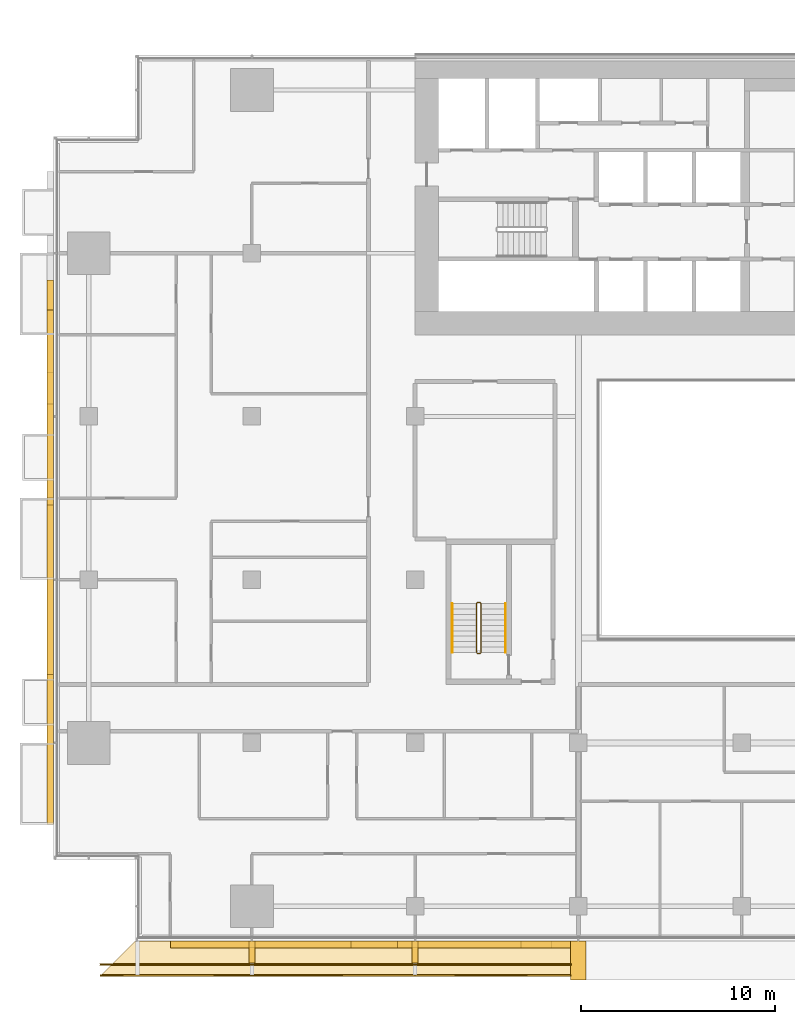
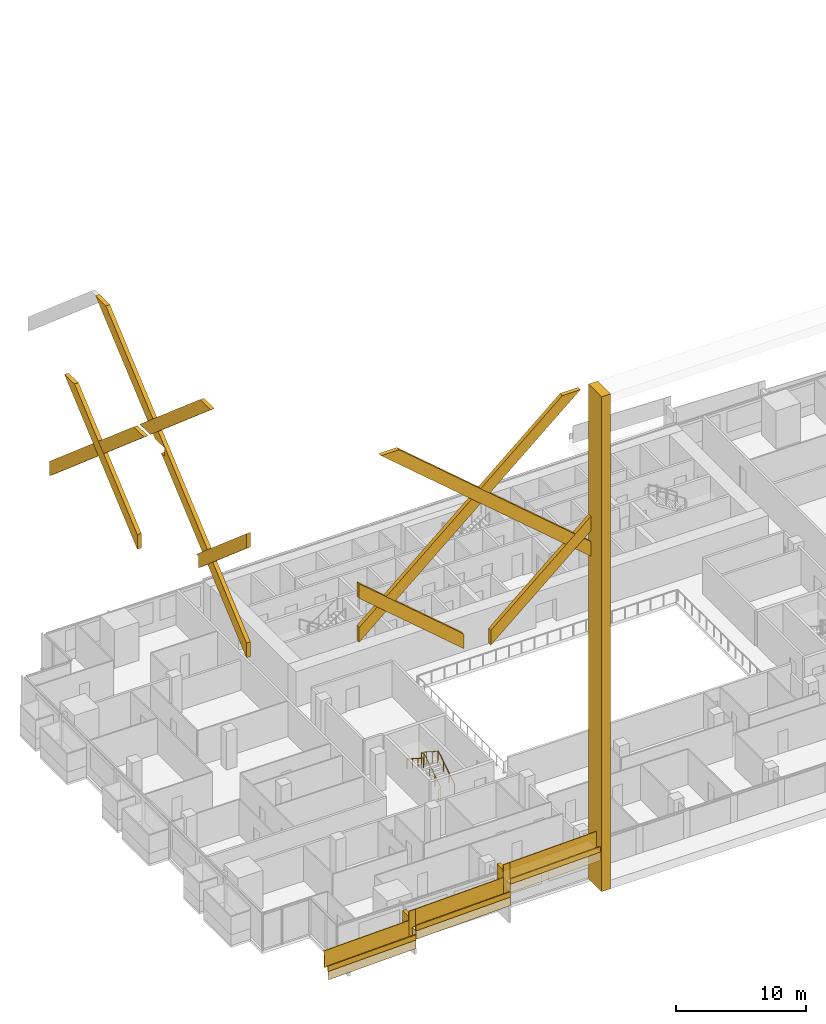
# One storey, part 26 of 30: 18 coverings, 8 railings.
"""IFC4 building model written with IfcOpenShell, lengths in metres."""

import ifcopenshell
import ifcopenshell.guid

model = None  # the IFC model being written
_history = None  # IfcOwnerHistory: only IFC2X3 demands one
_inside = {}  # id of a spatial element -> (the spatial element, [elements in it])
_under = {}  # id of a project, library or spatial element -> (it, [spatial elements below it])
_declared = {}  # id of a project -> (the project, [libraries it declares])
_typed = {}  # id of a type object -> (the type object, [elements of that type])
_made_of = {}  # id of a material, layer set ... -> (it, [elements and type objects made of it])


def new_model(schema):
    """Start an empty IFC model of exactly this schema.

    Asked for "IFC4X3", IfcOpenShell would pick the latest addendum, in which some entities
    have other attributes; the version numbers below select the first issue.
    IFC2X3 requires an IfcOwnerHistory on every rooted entity: one is made here for all.
    """
    global model, _history
    if schema == "IFC4X3":
        model = ifcopenshell.file(schema_version=(4, 3, 0, 0))
    else:
        model = ifcopenshell.file(schema=schema)
    _inside.clear()
    _under.clear()
    _declared.clear()
    _typed.clear()
    _made_of.clear()
    _history = None
    if model.schema == "IFC2X3":
        org = make("IfcOrganization", Name="unknown")
        user = make(
            "IfcPersonAndOrganization",
            ThePerson=make("IfcPerson", FamilyName="unknown"),
            TheOrganization=org,
        )
        app = make(
            "IfcApplication",
            ApplicationDeveloper=org,
            Version="unknown",
            ApplicationFullName="unknown",
            ApplicationIdentifier="unknown",
        )
        _history = make(
            "IfcOwnerHistory",
            OwningUser=user,
            OwningApplication=app,
            ChangeAction="ADDED",
            CreationDate=0,
        )
    return model


def make(cls, **values):
    """One entity of the class cls with the attributes given. An attribute that is None is left unset."""
    return model.create_entity(
        cls, **{name: value for name, value in values.items() if value is not None}
    )


def rooted(cls, **values):
    """An entity with a GlobalId (a new one), such as an element, a storey or a relation."""
    return make(cls, GlobalId=ifcopenshell.guid.new(), OwnerHistory=_history, **values)


def si_unit(unit_type, name, prefix=None):
    """IfcSIUnit, for example si_unit("LENGTHUNIT", "METRE", prefix="MILLI")."""
    return make("IfcSIUnit", UnitType=unit_type, Prefix=prefix, Name=name)


def assignment(units):
    """IfcUnitAssignment: the units of a project."""
    return None if units is None else make("IfcUnitAssignment", Units=units)


def point(xyz):
    """IfcCartesianPoint."""
    return None if xyz is None else make("IfcCartesianPoint", Coordinates=xyz)


def direction(xyz):
    """IfcDirection."""
    return None if xyz is None else make("IfcDirection", DirectionRatios=xyz)


def frame(location, z_axis=None, x_axis=None):
    """IfcAxis2Placement3D, a coordinate frame: its origin and axes. An axis left out is left unset."""
    return make(
        "IfcAxis2Placement3D",
        Location=point(location),
        Axis=direction(z_axis),
        RefDirection=direction(x_axis),
    )


def frame_2d(location, x_axis=None):
    """IfcAxis2Placement2D, a coordinate frame in the plane: its origin and x axis."""
    return make(
        "IfcAxis2Placement2D", Location=point(location), RefDirection=direction(x_axis)
    )


def origin():
    """The frame at (0, 0, 0) with its axes left unset."""
    return frame((0.0, 0.0, 0.0))


def origin_2d():
    """The frame at (0, 0) in the plane with its x axis left unset."""
    return frame_2d((0.0, 0.0))


def place(relative_to, where):
    """IfcLocalPlacement: puts the frame where relative to a parent placement (None: the world)."""
    return make(
        "IfcLocalPlacement", PlacementRelTo=relative_to, RelativePlacement=where
    )


def context(
    kind, dimensions, precision=None, world=None, true_north=None, identifier=None
):
    """IfcGeometricRepresentationContext, for example the 3D "Model" context."""
    return make(
        "IfcGeometricRepresentationContext",
        ContextIdentifier=identifier,
        ContextType=kind,
        CoordinateSpaceDimension=dimensions,
        Precision=precision,
        WorldCoordinateSystem=world,
        TrueNorth=true_north,
    )


def subcontext(parent, identifier, kind, view, scale=None):
    """IfcGeometricRepresentationSubContext, for example "Body" below "Model"."""
    return make(
        "IfcGeometricRepresentationSubContext",
        ContextIdentifier=identifier,
        ContextType=kind,
        ParentContext=parent,
        TargetScale=scale,
        TargetView=view,
    )


def project(units=None, contexts=None):
    """IfcProject with its units and contexts."""
    return rooted(
        "IfcProject",
        Name="project",
        RepresentationContexts=contexts,
        UnitsInContext=assignment(units),
    )


def spatial(cls, under=None, at=None, **own):
    """A site, building, storey or space (cls), placed at a placement, below another one or the project."""
    s = rooted(cls, ObjectPlacement=at, **own)
    if under is not None:
        _under.setdefault(under.id(), (under, []))[1].append(s)
    return s


def polyline(points):
    """IfcPolyline through the points."""
    return make("IfcPolyline", Points=[point(p) for p in points])


def profile(cls, at=None, kind="AREA", **sizes):
    """A parametric profile (cls). Its sizes go by their IFC names, for example OverallWidth=200.0."""
    return make(cls, ProfileType=kind, Position=at, **sizes)


def rectangle(**sizes):
    """IfcRectangleProfileDef."""
    return profile("IfcRectangleProfileDef", **sizes)


def circle(**sizes):
    """IfcCircleProfileDef."""
    return profile("IfcCircleProfileDef", **sizes)


def outline(outer, holes=None, kind="AREA"):
    """IfcArbitraryClosedProfileDef: a profile drawn as a closed curve; with holes, ...WithVoids."""
    if holes is None:
        return make("IfcArbitraryClosedProfileDef", ProfileType=kind, OuterCurve=outer)
    return make(
        "IfcArbitraryProfileDefWithVoids",
        ProfileType=kind,
        OuterCurve=outer,
        InnerCurves=holes,
    )


def extrude(swept, where, along, depth):
    """IfcExtrudedAreaSolid: the profile swept, set in the frame where, extruded along a direction by depth."""
    return make(
        "IfcExtrudedAreaSolid",
        SweptArea=swept,
        Position=where,
        ExtrudedDirection=direction(along),
        Depth=depth,
    )


def shape(context_of_items, identifier, shape_type, items):
    """IfcShapeRepresentation: the items that make up one representation, for example the "Body"."""
    return make(
        "IfcShapeRepresentation",
        ContextOfItems=context_of_items,
        RepresentationIdentifier=identifier,
        RepresentationType=shape_type,
        Items=items,
    )


def material(Name=None, Category=None):
    """IfcMaterial."""
    return make("IfcMaterial", Name=Name, Category=Category)


def layer(
    of_material, thickness, ventilated=None, Name=None, Category=None, Priority=None
):
    """IfcMaterialLayer: one layer of a wall or slab, of a material (None: an air gap)."""
    return make(
        "IfcMaterialLayer",
        Material=of_material,
        LayerThickness=thickness,
        IsVentilated=ventilated,
        Name=Name,
        Category=Category,
        Priority=Priority,
    )


def layer_set(layers, Name=None):
    """IfcMaterialLayerSet."""
    return make("IfcMaterialLayerSet", MaterialLayers=layers, LayerSetName=Name)


def made_of(thing, what):
    """Note that an element or type object is made of a material, layer set ...; save() writes the relation."""
    if what is not None:
        _made_of.setdefault(what.id(), (what, []))[1].append(thing)
    return thing


def type_object(cls, material=None, **own):
    """A type object (cls), such as IfcWallType, which elements share."""
    return made_of(rooted(cls, **own), material)


def element(
    cls,
    number,
    at=None,
    inside=None,
    cuts=None,
    type_object=None,
    material=None,
    context=None,
    identifier="Body",
    shape_type=None,
    held_by="IfcProductDefinitionShape",
    body=None,
    shapes=None,
    **own,
):
    """One element of the class cls, such as IfcWall. Its Tag is "e" and its number.

    at: its placement. inside: the storey or other place that contains it. cuts: it is an
    opening in that element (IfcRelVoidsElement). A single representation is given by context,
    identifier, shape_type and body (its items); several are given by shapes. held_by: the class
    of the entity that holds the representations. save() writes the other relations.
    """
    e = rooted(cls, Tag="e%d" % number, ObjectPlacement=at, **own)
    if body is not None:
        shapes = [shape(context, identifier, shape_type, body)]
    if shapes is not None:
        e.Representation = make(held_by, Representations=shapes)
    if inside is not None:
        _inside.setdefault(inside.id(), (inside, []))[1].append(e)
    if cuts is not None:
        rooted(
            "IfcRelVoidsElement", RelatingBuildingElement=cuts, RelatedOpeningElement=e
        )
    if type_object is not None:
        _typed.setdefault(type_object.id(), (type_object, []))[1].append(e)
    return made_of(e, material)


def aggregate(whole, parts):
    """IfcRelAggregates: a whole, such as a stair, and the parts it consists of."""
    return rooted("IfcRelAggregates", RelatingObject=whole, RelatedObjects=parts)


def save(model, path):
    """Write the relations noted so far, then the file.

    IfcRelAggregates (storeys below a building ...), IfcRelContainedInSpatialStructure (elements
    in a storey), IfcRelDefinesByType, IfcRelAssociatesMaterial and IfcRelDeclares: one each for
    every whole, place, type object, material and project.
    """
    for whole, parts in _under.values():
        aggregate(whole, parts)
    for where, things in _inside.values():
        rooted(
            "IfcRelContainedInSpatialStructure",
            RelatedElements=things,
            RelatingStructure=where,
        )
    for kind, things in _typed.values():
        rooted("IfcRelDefinesByType", RelatedObjects=things, RelatingType=kind)
    for what, things in _made_of.values():
        rooted("IfcRelAssociatesMaterial", RelatedObjects=things, RelatingMaterial=what)
    for by, libraries in _declared.values():
        rooted("IfcRelDeclares", RelatingContext=by, RelatedDefinitions=libraries)
    model.write(path)


model = new_model("IFC4")

# Units and contexts
model_context = context("Model", 3, precision=1e-05, world=origin(), true_north=direction((0.0, 1.0)))
body_context = subcontext(model_context, "Body", "Model", "MODEL_VIEW")
ifc_project = project(units=[si_unit("LENGTHUNIT", "METRE"), si_unit("AREAUNIT", "SQUARE_METRE"), si_unit("VOLUMEUNIT", "CUBIC_METRE"), si_unit("PLANEANGLEUNIT", "RADIAN"), si_unit("MASSUNIT", "GRAM", prefix="KILO")], contexts=[model_context])

# Site, building, storey
site_placement = place(None, origin())
site = spatial("IfcSite", under=ifc_project, at=site_placement, CompositionType="ELEMENT")
building_placement = place(site_placement, origin())
building = spatial("IfcBuilding", under=site, at=building_placement, Name="Saffron Gate Tower", CompositionType="ELEMENT")
storey_placement = place(building_placement, frame((0.0, 0.0, 37.199951171875)))
storey = spatial("IfcBuildingStorey", under=building, at=storey_placement, Name="L07", CompositionType="ELEMENT", Elevation=37.199951171875)

# Railings
ifc_material_1 = material(Name="Stainless steel and laminated glass", Category="steel")
railing_type_1 = type_object("IfcRailingType", Name="CR1 Stair guard 1100", PredefinedType="GUARDRAIL", material=ifc_material_1)
railing_1_placement = place(storey_placement, frame((69.800048828125, 44.800048828125, 0.0)))
element("IfcRailing", 1, at=railing_1_placement, inside=storey, type_object=railing_type_1, Name="L07 ST-D stair guard 1", PredefinedType="GUARDRAIL", context=body_context, shape_type="SweptSolid", body=[
    extrude(circle(Radius=0.02392578125, at=origin_2d()), frame((0.0, 0.0, 1.076171875), z_axis=(1.0, 0.0, 0.0), x_axis=(0.0, 1.0, 0.0)), (0.0, 0.0, 1.0), 0.14990234375),
    extrude(circle(Radius=0.02392578125, at=origin_2d()), frame((0.14990234375, 0.0, 1.076171875), z_axis=(0.258847668887, 0.258847668887, 0.930588936439), x_axis=(-0.707106781187, 0.707106781187, 0.0)), (0.0, 0.0, 1.0), 0.193359375),
    extrude(circle(Radius=0.02392578125, at=origin_2d()), frame((0.199951171875, 0.050048828125, 1.255859375), z_axis=(0.0, 0.841162588446, 0.540782303519), x_axis=(-1.0, 0.0, 0.0)), (0.0, 0.0, 1.0), 2.995849609375),
    extrude(circle(Radius=0.02392578125, at=origin_2d()), frame((0.199951171875, 2.570068359375, 2.8759765625), z_axis=(-0.708833529934, 0.705375805398, 0.0), x_axis=(-0.705375805398, -0.708833529934, 0.0)), (0.0, 0.0, 1.0), 0.070556640625),
    extrude(circle(Radius=0.02392578125, at=origin_2d()), frame((0.14990234375, 2.619873046875, 2.8759765625), z_axis=(-1.0, 0.0, 0.0), x_axis=(0.0, -1.0, 0.0)), (0.0, 0.0, 1.0), 0.14990234375),
    extrude(circle(Radius=0.02392578125, at=origin_2d()), frame((0.0, 2.619873046875, 2.8759765625), z_axis=(-0.258932105505, -0.257669022063, 0.930892496375), x_axis=(0.705375805398, -0.708833529934, 0.0)), (0.0, 0.0, 1.0), 0.193359375),
    extrude(circle(Radius=0.02392578125, at=origin_2d()), frame((-0.050048828125, 2.570068359375, 3.05615234375), z_axis=(0.0, -0.841162588446, 0.540782303519), x_axis=(1.0, 0.0, 0.0)), (0.0, 0.0, 1.0), 2.995849609375),
    extrude(circle(Radius=0.02099609375, at=origin_2d()), origin(), (0.0, 0.0, 1.0), 1.052001953125),
    extrude(circle(Radius=0.02099609375, at=origin_2d()), frame((0.14990234375, 0.0, 0.0)), (0.0, 0.0, 1.0), 1.052001953125),
    extrude(circle(Radius=0.02099609375, at=origin_2d()), frame((0.199951171875, 0.050048828125, 0.179931640625)), (0.0, 0.0, 1.0), 1.052001953125),
    extrude(circle(Radius=0.02099609375, at=origin_2d()), frame((0.199951171875, 0.89013671875, 0.719970703125)), (0.0, 0.0, 1.0), 1.052001953125),
    extrude(circle(Radius=0.02099609375, at=origin_2d()), frame((0.199951171875, 1.72998046875, 1.260009765625)), (0.0, 0.0, 1.0), 1.052001953125),
    extrude(circle(Radius=0.02099609375, at=origin_2d()), frame((0.199951171875, 2.570068359375, 1.800048828125)), (0.0, 0.0, 1.0), 1.052001953125),
    extrude(circle(Radius=0.02099609375, at=origin_2d()), frame((0.14990234375, 2.619873046875, 1.800048828125)), (0.0, 0.0, 1.0), 1.052001953125),
    extrude(circle(Radius=0.02099609375, at=origin_2d()), frame((0.0, 2.619873046875, 1.800048828125)), (0.0, 0.0, 1.0), 1.052001953125),
    extrude(circle(Radius=0.02099609375, at=origin_2d()), frame((-0.050048828125, 2.570068359375, 1.97998046875)), (0.0, 0.0, 1.0), 1.052001953125),
    extrude(circle(Radius=0.02099609375, at=origin_2d()), frame((-0.050048828125, 1.72998046875, 2.52001953125)), (0.0, 0.0, 1.0), 1.052001953125),
    extrude(circle(Radius=0.02099609375, at=origin_2d()), frame((-0.050048828125, 0.89013671875, 3.06005859375)), (0.0, 0.0, 1.0), 1.052001953125),
    extrude(circle(Radius=0.02099609375, at=origin_2d()), frame((-0.050048828125, 0.050048828125, 3.60009765625)), (0.0, 0.0, 1.0), 1.052001953125),
])
ifc_material_2 = material(Name="Stainless steel", Category="steel")
railing_type_2 = type_object("IfcRailingType", Name="CR2 Stair handrail 900", PredefinedType="HANDRAIL", material=ifc_material_2)
railing_2_placement = place(storey_placement, frame((71.25, 44.85009765625, 0.179931640625)))
element("IfcRailing", 2, at=railing_2_placement, inside=storey, type_object=railing_type_2, Name="L07 ST-D stair handrail 1", PredefinedType="HANDRAIL", context=body_context, shape_type="SweptSolid", body=[
    extrude(circle(Radius=0.02392578125, at=origin_2d()), frame((0.0, 0.0, 0.8759765625), z_axis=(0.0, 0.841162588446, 0.540782303519), x_axis=(-1.0, 0.0, 0.0)), (0.0, 0.0, 1.0), 2.995849609375),
    extrude(circle(Radius=0.02099609375, at=origin_2d()), origin(), (0.0, 0.0, 1.0), 0.851806640625),
    extrude(circle(Radius=0.02099609375, at=origin_2d()), frame((0.0, 0.840087890625, 0.5400390625)), (0.0, 0.0, 1.0), 0.851806640625),
    extrude(circle(Radius=0.02099609375, at=origin_2d()), frame((0.0, 1.679931640625, 1.080078125)), (0.0, 0.0, 1.0), 0.851806640625),
    extrude(circle(Radius=0.02099609375, at=origin_2d()), frame((0.0, 2.52001953125, 1.6201171875)), (0.0, 0.0, 1.0), 0.851806640625),
])
railing_3_placement = place(storey_placement, frame((68.5, 47.3701171875, 1.97998046875)))
element("IfcRailing", 3, at=railing_3_placement, inside=storey, type_object=railing_type_2, Name="L07 ST-D stair handrail 2", PredefinedType="HANDRAIL", context=body_context, shape_type="SweptSolid", body=[
    extrude(circle(Radius=0.02392578125, at=origin_2d()), frame((0.0, 0.0, 0.8759765625), z_axis=(0.0, -0.841162588446, 0.540782303519), x_axis=(1.0, 0.0, 0.0)), (0.0, 0.0, 1.0), 2.995849609375),
    extrude(circle(Radius=0.02099609375, at=origin_2d()), origin(), (0.0, 0.0, 1.0), 0.851806640625),
    extrude(circle(Radius=0.02099609375, at=origin_2d()), frame((0.0, -0.840087890625, 0.5400390625)), (0.0, 0.0, 1.0), 0.851806640625),
    extrude(circle(Radius=0.02099609375, at=origin_2d()), frame((0.0, -1.679931640625, 1.080078125)), (0.0, 0.0, 1.0), 0.851806640625),
    extrude(circle(Radius=0.02099609375, at=origin_2d()), frame((0.0, -2.52001953125, 1.6201171875)), (0.0, 0.0, 1.0), 0.851806640625),
])

# Coverings
ifc_material_3 = material(Name="Ceramic-printed bronze insulated panel")
ifc_layer_1 = layer(ifc_material_3, 0.800048828125)
ifc_layer_set_1 = layer_set([ifc_layer_1], Name="FN1 atrium fin")
covering_type_1 = type_object("IfcCoveringType", Name="FN1 atrium fin", PredefinedType="CLADDING", material=ifc_layer_set_1)
covering_1_placement = place(storey_placement, origin())
element("IfcCovering", 4, at=covering_1_placement, inside=storey, type_object=covering_type_1, Name="CLADDING atrium fin", PredefinedType="CLADDING", context=body_context, shape_type="SweptSolid", body=[
    extrude(outline(polyline([(74.60009765625, 30.0), (75.39990234375, 30.0), (75.39990234375, 28.0), (74.60009765625, 28.0), (74.60009765625, 30.0)])), origin(), (0.0, 0.0, 1.0), 46.5),
])
ifc_material_4 = material(Name="Timber, thermally modified ash", Category="wood")
ifc_layer_2 = layer(ifc_material_4, 0.800048828125)
ifc_layer_set_2 = layer_set([ifc_layer_2], Name="LD1 ledge timber")
covering_type_2 = type_object("IfcCoveringType", Name="LD1 ledge timber", PredefinedType="CLADDING", material=ifc_layer_set_2)
covering_2_placement = place(storey_placement, frame((52.199951171875, 30.0, 0.900146484375), z_axis=(-0.028807146299, -3.5027307e-05, 0.99958498743), x_axis=(0.999584988043, -3.68e-10, 0.028807146316)))
element("IfcCovering", 5, at=covering_2_placement, inside=storey, type_object=covering_type_2, Name="LEDGE", PredefinedType="CLADDING", context=body_context, shape_type="SweptSolid", body=[
    extrude(outline(polyline([(0.0, 0.0), (6.0024892885105, 2.541098841762901e-21), (6.002489289172793, -1.8000488270207489), (-1.800799813548424, -1.8000488321003227), (0.0, 0.0)])), origin(), (0.0, 0.0, -1.0), 0.800048828125),
])
covering_3_placement = place(storey_placement, frame((58.199951171875, 30.0, 1.93017578125), z_axis=(-0.028819366951, 0.0, 0.999584635781), x_axis=(0.999584635781, 0.0, 0.028819366951)))
element("IfcCovering", 6, at=covering_3_placement, inside=storey, type_object=covering_type_2, Name="LEDGE", PredefinedType="CLADDING", context=body_context, shape_type="SweptSolid", body=[
    extrude(outline(polyline([(0.0, 0.0), (8.403637054520734, 0.0), (8.403637054520734, -1.800048828125), (0.0, -1.800048828125), (0.0, 0.0)])), origin(), (0.0, 0.0, -1.0), 0.800048828125),
])
covering_4_placement = place(storey_placement, frame((66.60009765625, 30.0, 3.37255859375), z_axis=(-0.028796646555, 0.0, 0.999585290582), x_axis=(0.999585290582, 0.0, 0.028796646555)))
element("IfcCovering", 7, at=covering_4_placement, inside=storey, type_object=covering_type_2, Name="LEDGE", PredefinedType="CLADDING", context=body_context, shape_type="SweptSolid", body=[
    extrude(outline(polyline([(0.0, 0.0), (8.003319051788862, 0.0), (8.003319051788862, -1.800048828125), (0.0, -1.800048828125), (0.0, 0.0)])), origin(), (0.0, 0.0, -1.0), 0.800048828125),
])
ifc_layer_3 = layer(ifc_material_4, 0.080078125)
ifc_layer_set_3 = layer_set([ifc_layer_3], Name="LD2 ledge planter trough")
covering_type_3 = type_object("IfcCoveringType", Name="LD2 ledge planter trough", PredefinedType="CLADDING", material=ifc_layer_set_3)
covering_5_placement = place(storey_placement, frame((50.39990234375, 28.199951171875, 0.84814453125), z_axis=(0.0, -1.0, 0.0), x_axis=(0.999584755248, 0.0, 0.028815222999)))
element("IfcCovering", 8, at=covering_5_placement, inside=storey, type_object=covering_type_3, Name="LEDGE planter trough", PredefinedType="CLADDING", context=body_context, shape_type="SweptSolid", body=[
    extrude(outline(polyline([(0.0, 0.0), (7.803289102975944, 0.0), (7.8176967144752565, 0.4997923776238338), (0.014407611499312996, 0.4997923776238338), (0.0, 0.0)])), origin(), (0.0, 0.0, -1.0), 0.080078125),
])
covering_6_placement = place(storey_placement, frame((58.199951171875, 28.199951171875, 1.93017578125), z_axis=(0.0, -1.0, 0.0), x_axis=(0.999584635781, 0.0, 0.028819366951)))
element("IfcCovering", 9, at=covering_6_placement, inside=storey, type_object=covering_type_3, Name="LEDGE planter trough", PredefinedType="CLADDING", context=body_context, shape_type="SweptSolid", body=[
    extrude(outline(polyline([(0.0, 0.0), (8.403637054520734, 2.7755575615628914e-17), (8.418046737996397, 0.49979231789027256), (0.014409683475663392, 0.4997923178902725), (0.0, 0.0)])), origin(), (0.0, 0.0, -1.0), 0.080078125),
])
covering_7_placement = place(storey_placement, frame((66.60009765625, 28.199951171875, 3.37255859375), z_axis=(0.0, -1.0, 0.0), x_axis=(0.999585290582, 0.0, 0.028796646555)))
element("IfcCovering", 10, at=covering_7_placement, inside=storey, type_object=covering_type_3, Name="LEDGE planter trough", PredefinedType="CLADDING", context=body_context, shape_type="SweptSolid", body=[
    extrude(outline(polyline([(0.0, 0.0), (8.003319051788862, 0.0), (8.017717375066283, 0.4997926452908234), (0.014398323277421184, 0.49979264529082346), (0.0, 0.0)])), origin(), (0.0, 0.0, -1.0), 0.080078125),
])
ifc_layer_4 = layer(ifc_material_4, 0.300048828125)
ifc_layer_set_4 = layer_set([ifc_layer_4], Name="LD3 ledge riser fin")
covering_type_4 = type_object("IfcCoveringType", Name="LD3 ledge riser fin", PredefinedType="CLADDING", material=ifc_layer_set_4)
covering_8_placement = place(storey_placement, frame((58.199951171875, 29.43994140625, 0.27294921875), z_axis=(0.0, 0.0, 1.0), x_axis=(1.0, 0.0, 0.0)))
element("IfcCovering", 11, at=covering_8_placement, inside=storey, type_object=covering_type_4, Name="LEDGE riser fin", PredefinedType="CLADDING", context=body_context, shape_type="SweptSolid", body=[
    extrude(rectangle(XDim=0.300048828125, YDim=1.1201171875, at=origin_2d()), origin(), (0.0, 0.0, 1.0), 2.557373046875),
])
covering_9_placement = place(storey_placement, frame((66.60009765625, 29.43994140625, 1.372314453125), z_axis=(0.0, 0.0, 1.0), x_axis=(1.0, 0.0, 0.0)))
element("IfcCovering", 12, at=covering_9_placement, inside=storey, type_object=covering_type_4, Name="LEDGE riser fin", PredefinedType="CLADDING", context=body_context, shape_type="SweptSolid", body=[
    extrude(rectangle(XDim=0.300048828125, YDim=1.1201171875, at=origin_2d()), origin(), (0.0, 0.0, 1.0), 2.900390625),
])

# Railings
railing_type_3 = type_object("IfcRailingType", Name="LG1 ledge balustrade", PredefinedType="BALUSTRADE", material=ifc_material_4)
railing_4_placement = place(storey_placement, frame((50.39990234375, 28.800048828125, 0.84814453125)))
element("IfcRailing", 13, at=railing_4_placement, inside=storey, type_object=railing_type_3, Name="LEDGE BALUSTRADE", PredefinedType="BALUSTRADE", context=body_context, shape_type="SweptSolid", body=[
    extrude(rectangle(XDim=0.06005859375, YDim=1.60009765625, at=origin_2d()), frame((0.0, 0.0, 0.800048828125), z_axis=(0.999584755248, 0.0, 0.028815222999), x_axis=(0.0, 1.0, 0.0)), (0.0, 0.0, 1.0), 7.80322265625),
])
railing_5_placement = place(storey_placement, frame((58.199951171875, 28.800048828125, 1.93017578125)))
element("IfcRailing", 14, at=railing_5_placement, inside=storey, type_object=railing_type_3, Name="LEDGE BALUSTRADE", PredefinedType="BALUSTRADE", context=body_context, shape_type="SweptSolid", body=[
    extrude(rectangle(XDim=0.06005859375, YDim=1.60009765625, at=origin_2d()), frame((0.0, 0.0, 0.800048828125), z_axis=(0.999584635781, 0.0, 0.028819366951), x_axis=(0.0, 1.0, 0.0)), (0.0, 0.0, 1.0), 8.403564453125),
])
railing_6_placement = place(storey_placement, frame((57.89990234375, 28.800048828125, 1.072998046875)))
element("IfcRailing", 15, at=railing_6_placement, inside=storey, type_object=railing_type_3, Name="LEDGE BALUSTRADE", PredefinedType="BALUSTRADE", context=body_context, shape_type="SweptSolid", body=[
    extrude(rectangle(XDim=0.06005859375, YDim=2.45751953125, at=origin_2d()), frame((0.0, 0.0, 1.228759765625), z_axis=(1.0, 0.0, 0.0), x_axis=(0.0, 1.0, 0.0)), (0.0, 0.0, 1.0), 0.60009765625),
])
railing_7_placement = place(storey_placement, frame((66.60009765625, 28.800048828125, 3.37255859375)))
element("IfcRailing", 16, at=railing_7_placement, inside=storey, type_object=railing_type_3, Name="LEDGE BALUSTRADE", PredefinedType="BALUSTRADE", context=body_context, shape_type="SweptSolid", body=[
    extrude(rectangle(XDim=0.06005859375, YDim=1.60009765625, at=origin_2d()), frame((0.0, 0.0, 0.800048828125), z_axis=(0.999585290582, 0.0, 0.028796646555), x_axis=(0.0, 1.0, 0.0)), (0.0, 0.0, 1.0), 8.00341796875),
])
railing_8_placement = place(storey_placement, frame((66.300048828125, 28.800048828125, 2.17236328125)))
element("IfcRailing", 17, at=railing_8_placement, inside=storey, type_object=railing_type_3, Name="LEDGE BALUSTRADE", PredefinedType="BALUSTRADE", context=body_context, shape_type="SweptSolid", body=[
    extrude(rectangle(XDim=0.06005859375, YDim=2.80029296875, at=origin_2d()), frame((0.0, 0.0, 1.400146484375), z_axis=(1.0, 0.0, 0.0), x_axis=(0.0, 1.0, 0.0)), (0.0, 0.0, 1.0), 0.599853515625),
])

# Coverings
ifc_layer_5 = layer(ifc_material_3, 0.35009765625)
ifc_layer_set_5 = layer_set([ifc_layer_5], Name="LZ1 lozenge lattice bar 1600")
covering_type_5 = type_object("IfcCoveringType", Name="LZ1 lozenge lattice bar 1600", PredefinedType="CLADDING", material=ifc_layer_set_5)
covering_10_placement = place(storey_placement, frame((54.0, 29.64990234375, 29.6572265625), z_axis=(0.0, -1.0, 0.0), x_axis=(0.759256602365, 0.0, 0.650791373456)))
element("IfcCovering", 18, at=covering_10_placement, inside=storey, type_object=covering_type_5, Name="CLADDING lozenge lattice bar", PredefinedType="CLADDING", context=body_context, shape_type="SweptSolid", body=[
    extrude(outline(polyline([(0.0, 0.0), (25.88044974852383, 0.0), (24.665750403968218, 1.041170866761954), (0.8924548693120544, 1.0411973475307301), (0.0, 0.0)])), origin(), (0.0, 0.0, -1.0), 0.35009765625),
])
covering_11_placement = place(storey_placement, frame((65.699951171875, 29.64990234375, 26.6572265625), z_axis=(0.0, -1.0, 0.0), x_axis=(0.0, 0.0, -1.0)))
element("IfcCovering", 19, at=covering_11_placement, inside=storey, type_object=covering_type_5, Name="CLADDING lozenge lattice bar", PredefinedType="CLADDING", context=body_context, shape_type="SweptSolid", body=[
    extrude(outline(polyline([(0.0, 0.0), (1.37158203125, 0.0), (-6.599853515625, 9.300048828125), (-7.971435546875, 9.300048828125), (0.0, 0.0)])), origin(), (0.0, 0.0, -1.0), 0.35009765625),
])
covering_12_placement = place(storey_placement, frame((63.300048828125, 29.64990234375, 25.800048828125), z_axis=(0.0, -1.0, 0.0), x_axis=(0.0, 0.0, 1.0)))
element("IfcCovering", 20, at=covering_12_placement, inside=storey, type_object=covering_type_5, Name="CLADDING lozenge lattice bar", PredefinedType="CLADDING", context=body_context, shape_type="SweptSolid", body=[
    extrude(outline(polyline([(0.0, 0.0), (1.371337890625, 0.0), (9.3427734375, 9.300048828125), (7.971435546875, 9.300048828125), (0.0, 0.0)])), origin(), (0.0, 0.0, -1.0), 0.35009765625),
])
covering_13_placement = place(storey_placement, frame((75.0, 29.64990234375, 30.17138671875), z_axis=(0.0, -1.0, 0.0), x_axis=(0.0, 0.0, 1.0)))
element("IfcCovering", 21, at=covering_13_placement, inside=storey, type_object=covering_type_5, Name="CLADDING lozenge lattice bar", PredefinedType="CLADDING", context=body_context, shape_type="SweptSolid", body=[
    extrude(outline(polyline([(0.0, 0.0), (1.37158203125, 0.0), (16.32861328125, 17.449951171875), (16.32861328125, 19.050048828125), (0.0, 0.0)])), origin(), (0.0, 0.0, -1.0), 0.35009765625),
])
covering_14_placement = place(storey_placement, frame((47.64990234375, 66.300048828125, 26.6572265625), z_axis=(-1.0, 0.0, 0.0), x_axis=(0.0, 0.0, -1.0)))
element("IfcCovering", 22, at=covering_14_placement, inside=storey, type_object=covering_type_5, Name="CLADDING lozenge lattice bar", PredefinedType="CLADDING", context=body_context, shape_type="SweptSolid", body=[
    extrude(outline(polyline([(0.0, 0.0), (1.37158203125, 0.0), (-11.0947265625, 14.5439453125), (-11.046875, 12.88818359375), (0.0, 0.0)])), origin(), (0.0, 0.0, -1.0), 0.35009765625),
])
covering_15_placement = place(storey_placement, frame((47.64990234375, 52.446044921875, 38.531982421875), z_axis=(-1.0, 0.0, 0.0), x_axis=(0.0, -0.999586778905, 0.028744937603)))
element("IfcCovering", 23, at=covering_15_placement, inside=storey, type_object=covering_type_5, Name="CLADDING lozenge lattice bar", PredefinedType="CLADDING", context=body_context, shape_type="SweptSolid", body=[
    extrude(outline(polyline([(0.0, 0.0), (1.6562019557102479, 0.0), (11.120533806419362, 7.651520297340154), (9.52134138401551, 7.697507986820872), (0.0, 0.0)])), origin(), (0.0, 0.0, -1.0), 0.35009765625),
])
covering_16_placement = place(storey_placement, frame((47.64990234375, 43.7099609375, 31.6201171875), z_axis=(-1.0, 0.0, 0.0), x_axis=(0.0, -1.0, 0.0)))
element("IfcCovering", 24, at=covering_16_placement, inside=storey, type_object=covering_type_5, Name="CLADDING lozenge lattice bar", PredefinedType="CLADDING", context=body_context, shape_type="SweptSolid", body=[
    extrude(outline(polyline([(0.0, 0.0), (0.35986328125, 0.0), (0.35986328125, -1.06298828125), (7.7099609375, 5.237060546875), (7.7099609375, 6.6083984375), (0.0, 0.0)])), origin(), (0.0, 0.0, -1.0), 0.35009765625),
])
covering_17_placement = place(storey_placement, frame((47.64990234375, 52.800048828125, 26.571533203125), z_axis=(-1.0, 0.0, 0.0), x_axis=(0.0, 0.0, 1.0)))
element("IfcCovering", 25, at=covering_17_placement, inside=storey, type_object=covering_type_5, Name="CLADDING lozenge lattice bar", PredefinedType="CLADDING", context=body_context, shape_type="SweptSolid", body=[
    extrude(outline(polyline([(0.0, 0.0), (1.371337890625, 0.0), (9.6708984375, 9.682861328125), (9.62646484375, 11.230712890625), (0.0, 0.0)])), origin(), (0.0, 0.0, -1.0), 0.35009765625),
])
covering_18_placement = place(storey_placement, frame((47.64990234375, 36.0, 27.94287109375), z_axis=(-1.0, 0.0, 0.0), x_axis=(0.0, 0.75925539362, 0.650792783656)))
element("IfcCovering", 26, at=covering_18_placement, inside=storey, type_object=covering_type_5, Name="CLADDING lozenge lattice bar", PredefinedType="CLADDING", context=body_context, shape_type="SweptSolid", body=[
    extrude(outline(polyline([(0.0, 0.0), (28.51465070340317, -1.7763568394002505e-15), (29.72953347922975, 1.0413320078325867), (17.59268216843114, 1.041150580902535), (16.530143113776106, 0.07605698933298832), (16.00947710985981, 0.6834983772462779), (16.40337788069177, 1.0413866988734188), (-0.8924568031729704, 1.041195689932544), (0.0, 0.0)])), origin(), (0.0, 0.0, -1.0), 0.35009765625),
])

save(model, "model.ifc")
